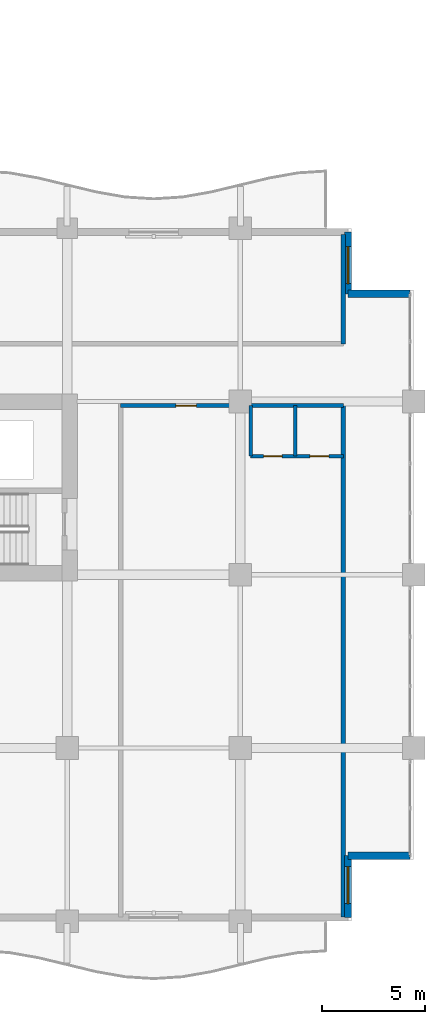
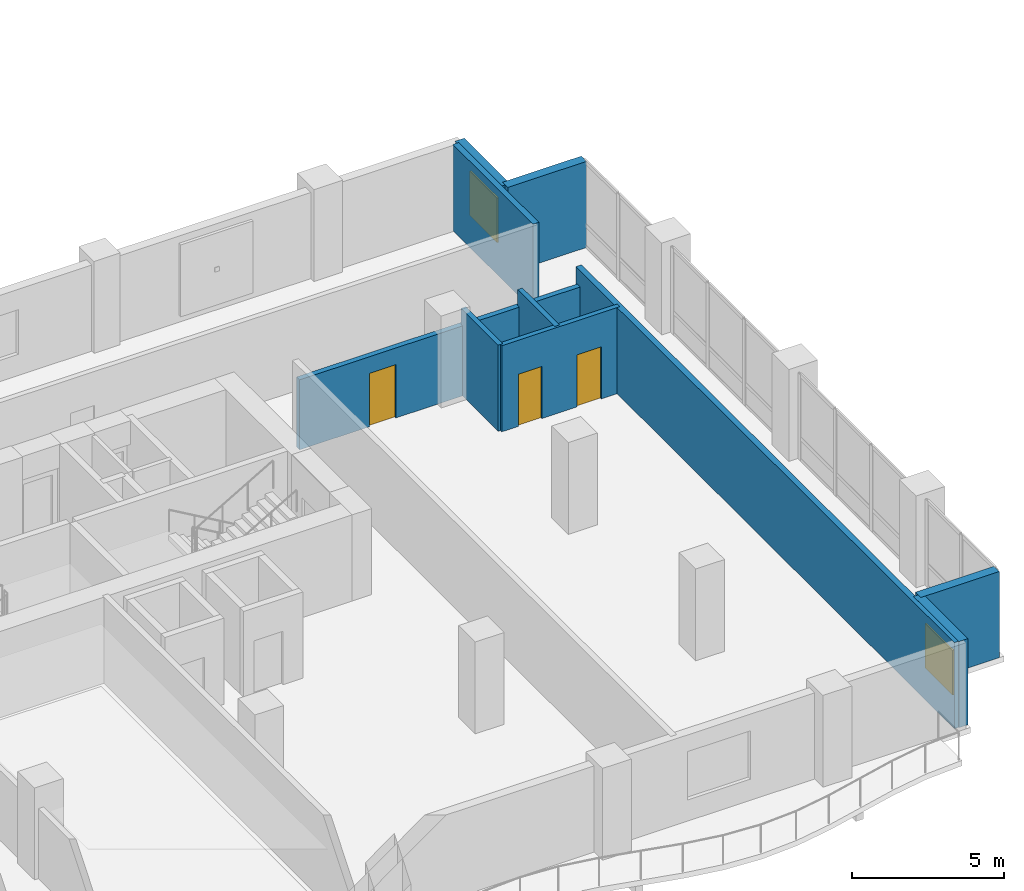
# One storey, part 14 of 22: 10 walls, 3 doors, 2 windows, 5 openings.
"""IFC4 building model written with IfcOpenShell, lengths in metres."""

from ifc_helpers import new_model, si_unit, direction, frame, frame_2d, origin, place, context, subcontext, project, spatial, rectangle, extrude, material, layer, layer_set, type_object, element, fill, save


model = new_model("IFC4")

# Units and contexts
model_context = context("Model", 3, precision=1e-05, world=origin(), true_north=direction((0.0, 1.0)))
body_context = subcontext(model_context, "Body", "Model", "MODEL_VIEW")
ifc_project = project(units=[si_unit("LENGTHUNIT", "METRE"), si_unit("AREAUNIT", "SQUARE_METRE"), si_unit("VOLUMEUNIT", "CUBIC_METRE"), si_unit("PLANEANGLEUNIT", "RADIAN"), si_unit("MASSUNIT", "GRAM", prefix="KILO")], contexts=[model_context])

# Site, building, storey
site_placement = place(None, origin())
site = spatial("IfcSite", under=ifc_project, at=site_placement, CompositionType="ELEMENT")
building_placement = place(site_placement, origin())
building = spatial("IfcBuilding", under=site, at=building_placement, Name="Koriwani Terraces Tower", CompositionType="ELEMENT")
storey_placement = place(building_placement, frame((0.0, 0.0, 168.0)))
storey = spatial("IfcBuildingStorey", under=building, at=storey_placement, Name="L40", CompositionType="ELEMENT", Elevation=168.0)

# Wall, opening, door
ifc_material_1 = material(Name="Autoclaved Cellular Concrete Blockwork", Category="masonry")
ifc_layer_1 = layer(ifc_material_1, 0.199951171875, Name="Autoclaved Cellular Concrete Blockwork")
ifc_layer_set_1 = layer_set([ifc_layer_1], Name="Autoclaved Cellular Concrete Blockwork")
wall_type_1 = type_object("IfcWallType", Name="WALL_CORRIDOR_200", PredefinedType="PARTITIONING", material=ifc_layer_set_1)
wall_1_placement = place(storey_placement, frame((61.39990234375, 25.0, 0.0), z_axis=(0.0, 0.0, 1.0), x_axis=(1.0, 0.0, 0.0)))
wall_1 = element("IfcWall", 1, at=wall_1_placement, inside=storey, type_object=wall_type_1, Name="L40 Interior Wall WRCOR-L40-SE-0", PredefinedType="PARTITIONING", context=body_context, shape_type="SweptSolid", body=[
    extrude(rectangle(XDim=10.800048828125, YDim=0.199951171875, at=frame_2d((5.39990234375, 0.0))), origin(), (0.0, 0.0, 1.0), 2.820068359375),
])
opening_1_placement = place(wall_1_placement, frame((2.669921875, 0.0, 0.0)))
opening_1 = element("IfcOpeningElement", 2, at=opening_1_placement, cuts=wall_1, Name="Opening D-05", PredefinedType="OPENING", context=body_context, shape_type="SweptSolid", body=[
    extrude(rectangle(XDim=1.0, YDim=2.14990234375, at=frame_2d((0.5, 1.074951171875))), frame((0.0, 0.10986328125, 0.0), z_axis=(0.0, -1.0, 0.0), x_axis=(1.0, 0.0, 0.0)), (0.0, 0.0, 1.0), 0.219970703125),
])
ifc_material_2 = material(Name="Architectural Oak Fire Door", Category="wood")
door_type_1 = type_object("IfcDoorType", Name="DOOR_SUITE_ENTRY_1000X2150", OperationType="NOTDEFINED", PredefinedType="DOOR", material=ifc_material_2)
door_1_placement = place(opening_1_placement, origin())
door_1 = element("IfcDoor", 3, at=door_1_placement, inside=storey, type_object=door_type_1, Name="Apartment 40SE1 Entrance Door", OperationType="SINGLE_SWING_RIGHT", OverallHeight=2.14990234375, OverallWidth=1.0, PredefinedType="DOOR", context=body_context, shape_type="SweptSolid", body=[
    extrude(rectangle(XDim=1.0, YDim=2.14990234375, at=frame_2d((0.5, 1.074951171875))), frame((0.0, 0.02490234375, 0.0), z_axis=(0.0, -1.0, 0.0), x_axis=(1.0, 0.0, 0.0)), (0.0, 0.0, 1.0), 0.050048828125),
])
fill(opening_1, door_1)

# Walls
ifc_layer_2 = layer(ifc_material_1, 0.219970703125, Name="Autoclaved Cellular Concrete Blockwork")
ifc_layer_set_2 = layer_set([ifc_layer_2], Name="Autoclaved Cellular Concrete Blockwork")
wall_type_2 = type_object("IfcWallType", Name="WALL_DEMISING_220", PredefinedType="PARTITIONING", material=ifc_layer_set_2)
wall_2_placement = place(storey_placement, frame((72.199951171875, 0.199951171875, 0.0), z_axis=(0.0, 0.0, 1.0), x_axis=(0.0, 1.0, 0.0)))
element("IfcWall", 4, at=wall_2_placement, inside=storey, type_object=wall_type_2, Name="L40 Interior Wall WRDEME-L40-SE", PredefinedType="PARTITIONING", context=body_context, shape_type="SweptSolid", body=[
    extrude(rectangle(XDim=24.97998046875, YDim=0.219970703125, at=frame_2d((12.489990234375, 0.0))), origin(), (0.0, 0.0, 1.0), 3.469970703125),
])
wall_3_placement = place(storey_placement, frame((72.199951171875, 28.0, 0.0), z_axis=(0.0, 0.0, 1.0), x_axis=(0.0, 1.0, 0.0)))
element("IfcWall", 5, at=wall_3_placement, inside=storey, type_object=wall_type_2, Name="L40 Interior Wall WSEC-E-L40", PredefinedType="PARTITIONING", context=body_context, shape_type="SweptSolid", body=[
    extrude(rectangle(XDim=5.300048828125, YDim=0.219970703125, at=frame_2d((2.64990234375, 0.0))), origin(), (0.0, 0.0, 1.0), 3.469970703125),
])

# Wall, opening, window
ifc_material_3 = material(Name="Concrete C50/60", Category="concrete")
ifc_layer_3 = layer(ifc_material_3, 0.35009765625, Name="Concrete C50/60")
ifc_layer_set_3 = layer_set([ifc_layer_3], Name="Concrete C50/60")
wall_type_3 = type_object("IfcWallType", Name="WALL_EXT_BRUTALIST_350", PredefinedType="STANDARD", material=ifc_layer_set_3)
wall_4_placement = place(storey_placement, frame((72.425048828125, 33.425048828125, 0.0), z_axis=(0.0, 0.0, 1.0), x_axis=(0.0, -1.0, 0.0)))
wall_4 = element("IfcWall", 6, at=wall_4_placement, inside=storey, type_object=wall_type_3, Name="L40 Fair-Faced Brutalist Exterior Wall (N10)", PredefinedType="STANDARD", context=body_context, shape_type="SweptSolid", body=[
    extrude(rectangle(XDim=3.0, YDim=0.35009765625, at=frame_2d((1.5, 0.0))), origin(), (0.0, 0.0, 1.0), 3.469970703125),
])
opening_2_placement = place(wall_4_placement, frame((0.71240234375, 0.0, 0.85009765625)))
opening_2 = element("IfcOpeningElement", 7, at=opening_2_placement, cuts=wall_4, Name="Opening W-04", PredefinedType="OPENING", context=body_context, shape_type="SweptSolid", body=[
    extrude(rectangle(XDim=1.800048828125, YDim=1.800048828125, at=frame_2d((0.89990234375, 0.89990234375))), frame((0.0, 0.18505859375, 0.0), z_axis=(0.0, -1.0, 0.0), x_axis=(1.0, 0.0, 0.0)), (0.0, 0.0, 1.0), 0.3701171875),
])
ifc_material_4 = material(Name="Tempered Laminated Low-E Glass", Category="glass")
window_type = type_object("IfcWindowType", Name="WIN_RES_BED_1800X1800", PartitioningType="DOUBLE_PANEL_VERTICAL", PredefinedType="WINDOW", material=ifc_material_4)
window_1_placement = place(opening_2_placement, origin())
window_1 = element("IfcWindow", 8, at=window_1_placement, inside=storey, type_object=window_type, Name="L40 Exterior Window (N10-R58)", OverallHeight=1.800048828125, OverallWidth=1.800048828125, PartitioningType="SINGLE_PANEL", PredefinedType="WINDOW", context=body_context, shape_type="SweptSolid", body=[
    extrude(rectangle(XDim=1.800048828125, YDim=1.800048828125, at=frame_2d((0.89990234375, 0.89990234375))), frame((0.0, 0.030029296875, 0.0), z_axis=(0.0, -1.0, 0.0), x_axis=(1.0, 0.0, 0.0)), (0.0, 0.0, 1.0), 0.06005859375),
])
fill(opening_2, window_1)

# Walls
for number, where, z_axis, x_axis, name in (
    (9, (72.425048828125, 30.425048828125, 0.0), (0.0, 0.0, 1.0), (1.0, 0.0, 0.0), "L40 Fair-Faced Brutalist Exterior Wall (N11)"),
    (10, (75.425048828125, 3.175048828125, 0.0), (0.0, 0.0, 1.0), (-1.0, 0.0, 0.0), "L40 Fair-Faced Brutalist Exterior Wall (N13)"),
):
    element("IfcWall", number, at=place(storey_placement, frame(where, z_axis=z_axis, x_axis=x_axis)), inside=storey, type_object=wall_type_3, Name=name, PredefinedType="STANDARD", context=body_context, shape_type="SweptSolid", body=[
        extrude(rectangle(XDim=3.0, YDim=0.35009765625, at=frame_2d((1.5, 0.0))), origin(), (0.0, 0.0, 1.0), 3.469970703125),
    ])

# Wall, opening, window
wall_5_placement = place(storey_placement, frame((72.425048828125, 3.175048828125, 0.0), z_axis=(0.0, 0.0, 1.0), x_axis=(0.0, -1.0, 0.0)))
wall_5 = element("IfcWall", 11, at=wall_5_placement, inside=storey, type_object=wall_type_3, Name="L40 Fair-Faced Brutalist Exterior Wall (N14)", PredefinedType="STANDARD", context=body_context, shape_type="SweptSolid", body=[
    extrude(rectangle(XDim=3.0, YDim=0.35009765625, at=frame_2d((1.5, 0.0))), origin(), (0.0, 0.0, 1.0), 3.469970703125),
])
opening_3_placement = place(wall_5_placement, frame((0.5224609375, 0.0, 0.85009765625)))
opening_3 = element("IfcOpeningElement", 12, at=opening_3_placement, cuts=wall_5, Name="Opening W-04", PredefinedType="OPENING", context=body_context, shape_type="SweptSolid", body=[
    extrude(rectangle(XDim=1.800048828125, YDim=1.800048828125, at=frame_2d((0.89990234375, 0.89990234375))), frame((0.0, 0.18505859375, 0.0), z_axis=(0.0, -1.0, 0.0), x_axis=(1.0, 0.0, 0.0)), (0.0, 0.0, 1.0), 0.3701171875),
])
window_2_placement = place(opening_3_placement, origin())
window_2 = element("IfcWindow", 13, at=window_2_placement, inside=storey, type_object=window_type, Name="L40 Exterior Window (N14-R57)", OverallHeight=1.800048828125, OverallWidth=1.800048828125, PartitioningType="SINGLE_PANEL", PredefinedType="WINDOW", context=body_context, shape_type="SweptSolid", body=[
    extrude(rectangle(XDim=1.800048828125, YDim=1.800048828125, at=frame_2d((0.89990234375, 0.89990234375))), frame((0.0, 0.030029296875, 0.0), z_axis=(0.0, -1.0, 0.0), x_axis=(1.0, 0.0, 0.0)), (0.0, 0.0, 1.0), 0.06005859375),
])
fill(opening_3, window_2)

# Wall, openings, doors
ifc_material_5 = material(Name="Fire-Rated Acoustic Gypsum Partition", Category="masonry")
ifc_layer_4 = layer(ifc_material_5, 0.179931640625, Name="Fire-Rated Acoustic Gypsum Partition")
ifc_layer_set_4 = layer_set([ifc_layer_4], Name="Fire-Rated Acoustic Gypsum Partition")
wall_type_4 = type_object("IfcWallType", Name="WALL_PLUMBING_180", PredefinedType="PLUMBINGWALL", material=ifc_layer_set_4)
wall_6_placement = place(storey_placement, frame((67.699951171875, 22.550048828125, 0.0), z_axis=(0.0, 0.0, 1.0), x_axis=(1.0, 0.0, 0.0)))
wall_6 = element("IfcWall", 14, at=wall_6_placement, inside=storey, type_object=wall_type_4, Name="L40 Interior Wall WRSVC-L40-SE-0", PredefinedType="PLUMBINGWALL", context=body_context, shape_type="SweptSolid", body=[
    extrude(rectangle(XDim=4.5, YDim=0.179931640625, at=frame_2d((2.25, 0.0))), origin(), (0.0, 0.0, 1.0), 3.469970703125),
])
opening_4_placement = place(wall_6_placement, frame((0.6298828125, 0.0, 0.0)))
opening_4 = element("IfcOpeningElement", 15, at=opening_4_placement, cuts=wall_6, Name="Opening D-07", PredefinedType="OPENING", context=body_context, shape_type="SweptSolid", body=[
    extrude(rectangle(XDim=0.89990234375, YDim=2.10009765625, at=frame_2d((0.449951171875, 1.050048828125))), frame((0.0, 0.10009765625, 0.0), z_axis=(0.0, -1.0, 0.0), x_axis=(1.0, 0.0, 0.0)), (0.0, 0.0, 1.0), 0.199951171875),
])
opening_5_placement = place(wall_6_placement, frame((2.8701171875, 0.0, 0.0)))
opening_5 = element("IfcOpeningElement", 16, at=opening_5_placement, cuts=wall_6, Name="Opening D-06", PredefinedType="OPENING", context=body_context, shape_type="SweptSolid", body=[
    extrude(rectangle(XDim=0.919921875, YDim=2.10009765625, at=frame_2d((0.4599609375, 1.050048828125))), frame((0.0, 0.10009765625, 0.0), z_axis=(0.0, -1.0, 0.0), x_axis=(1.0, 0.0, 0.0)), (0.0, 0.0, 1.0), 0.199951171875),
])
door_type_2 = type_object("IfcDoorType", Name="DOOR_BATH_INT_900X2100", OperationType="NOTDEFINED", PredefinedType="DOOR", material=ifc_material_2)
door_2_placement = place(opening_4_placement, origin())
door_2 = element("IfcDoor", 17, at=door_2_placement, inside=storey, type_object=door_type_2, Name="Apartment 40SE1 Bathroom Door", OperationType="SINGLE_SWING_LEFT", OverallHeight=2.10009765625, OverallWidth=0.89990234375, PredefinedType="DOOR", context=body_context, shape_type="SweptSolid", body=[
    extrude(rectangle(XDim=0.89990234375, YDim=2.10009765625, at=frame_2d((0.449951171875, 1.050048828125))), frame((0.0, 0.02490234375, 0.0), z_axis=(0.0, -1.0, 0.0), x_axis=(1.0, 0.0, 0.0)), (0.0, 0.0, 1.0), 0.050048828125),
])
fill(opening_4, door_2)
door_type_3 = type_object("IfcDoorType", Name="DOOR_ROOM_INT_920X2100", OperationType="NOTDEFINED", PredefinedType="DOOR", material=ifc_material_2)
door_3_placement = place(opening_5_placement, origin())
door_3 = element("IfcDoor", 18, at=door_3_placement, inside=storey, type_object=door_type_3, Name="Apartment 40SE1 Kitchen Door", OperationType="SINGLE_SWING_RIGHT", OverallHeight=2.10009765625, OverallWidth=0.919921875, PredefinedType="DOOR", context=body_context, shape_type="SweptSolid", body=[
    extrude(rectangle(XDim=0.919921875, YDim=2.10009765625, at=frame_2d((0.4599609375, 1.050048828125))), frame((0.0, 0.02490234375, 0.0), z_axis=(0.0, -1.0, 0.0), x_axis=(1.0, 0.0, 0.0)), (0.0, 0.0, 1.0), 0.050048828125),
])
fill(opening_5, door_3)

# Walls
for number, where, z_axis, x_axis, name in (
    (19, (67.699951171875, 22.550048828125, 0.0), (0.0, 0.0, 1.0), (0.0, 1.0, 0.0), "L40 Interior Wall WRSVCS-L40-SE-0"),
    (20, (69.860107421875, 22.550048828125, 0.0), (0.0, 0.0, 1.0), (0.0, 1.0, 0.0), "L40 Interior Wall WRSVCM-L40-SE-0"),
):
    element("IfcWall", number, at=place(storey_placement, frame(where, z_axis=z_axis, x_axis=x_axis)), inside=storey, type_object=wall_type_4, Name=name, PredefinedType="PLUMBINGWALL", context=body_context, shape_type="SweptSolid", body=[
        extrude(rectangle(XDim=2.449951171875, YDim=0.179931640625, at=frame_2d((1.22509765625, 0.0))), origin(), (0.0, 0.0, 1.0), 3.469970703125),
    ])

save(model, "model.ifc")
